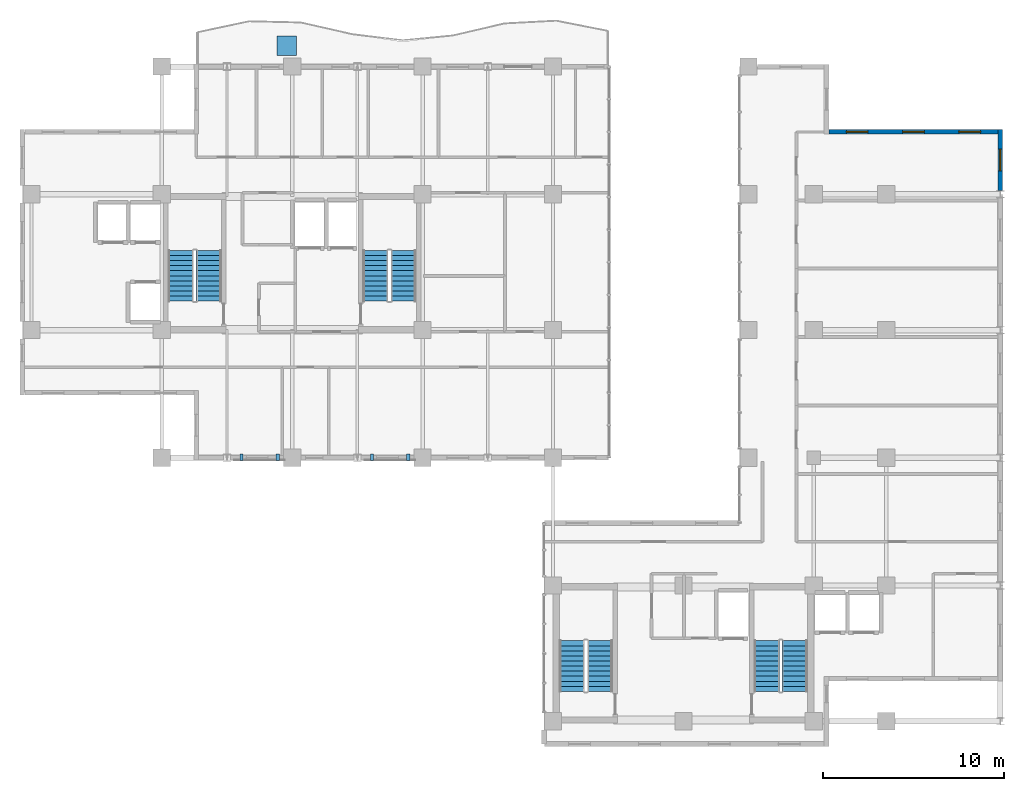
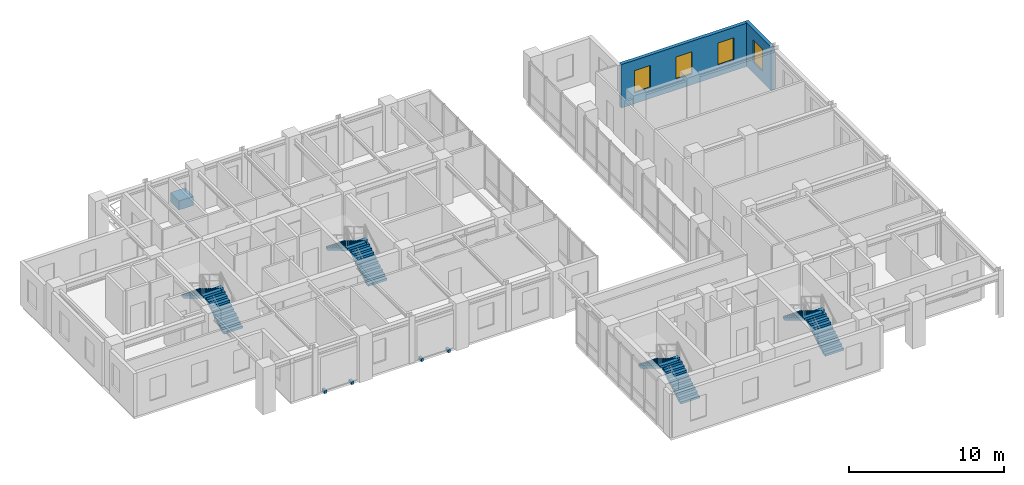
# One storey, part 21 of 24: 8 stair flights, 5 discrete accessories, 4 windows, 2 walls, 4 openings, 4 elements without a shape of their own.
"""IFC4 building model written with IfcOpenShell, lengths in metres."""

from ifc_helpers import new_model, si_unit, direction, frame, frame_2d, origin, origin_2d, place, context, subcontext, project, spatial, polyline, rectangle, outline, extrude, source, transform, mapped, material, layer, layer_set, type_object, element, fill, aggregate, save


model = new_model("IFC4")

# Units and contexts
model_context = context("Model", 3, precision=1e-05, world=origin(), true_north=direction((0.0, 1.0)))
body_context = subcontext(model_context, "Body", "Model", "MODEL_VIEW")
ifc_project = project(units=[si_unit("LENGTHUNIT", "METRE"), si_unit("AREAUNIT", "SQUARE_METRE"), si_unit("VOLUMEUNIT", "CUBIC_METRE"), si_unit("PLANEANGLEUNIT", "RADIAN"), si_unit("MASSUNIT", "GRAM", prefix="KILO")], contexts=[model_context])

# Site, building, storey
site_placement = place(None, origin())
site = spatial("IfcSite", under=ifc_project, at=site_placement, CompositionType="ELEMENT")
building_placement = place(site_placement, origin())
building = spatial("IfcBuilding", under=site, at=building_placement, Name="Kaliganga Portal Commons", CompositionType="ELEMENT")
storey_placement = place(building_placement, frame((0.0, 0.0, 242.5)))
storey = spatial("IfcBuildingStorey", under=building, at=storey_placement, Name="L62", CompositionType="ELEMENT", Elevation=242.5)

# Wall, opening, window
ifc_material_1 = material(Name="Insulated Aluminium-Clad Spandrel Assembly", Category="aluminium")
ifc_layer = layer(ifc_material_1, 0.260009765625)
ifc_layer_set = layer_set([ifc_layer], Name="Insulated Aluminium-Clad Spandrel Assembly")
wall_type = type_object("IfcWallType", Name="WL-EXT-SPAND-260", PredefinedType="STANDARD", material=ifc_layer_set)
wall_1_placement = place(storey_placement, frame((60.699951171875, 39.72998046875, 0.0), z_axis=(0.0, 0.0, 1.0), x_axis=(0.0, -1.0, 0.0)))
wall_1 = element("IfcWall", 1, at=wall_1_placement, inside=storey, type_object=wall_type, Name="Exterior Envelope Wall L62 P2-E03-S5", PredefinedType="STANDARD", context=body_context, shape_type="SweptSolid", body=[
    extrude(rectangle(XDim=3.37890625, YDim=0.260009765625, at=frame_2d((1.689453125, 0.0))), origin(), (0.0, 0.0, 1.0), 3.419921875),
])
opening_1_placement = place(wall_1_placement, frame((1.089599609375, 0.0, 0.85009765625)))
opening_1 = element("IfcOpeningElement", 2, at=opening_1_placement, cuts=wall_1, Name="Opening W-03", PredefinedType="OPENING", context=body_context, shape_type="SweptSolid", body=[
    extrude(rectangle(XDim=1.199951171875, YDim=1.75, at=frame_2d((0.60009765625, 0.875))), frame((0.0, 0.14013671875, 0.0), z_axis=(0.0, -1.0, 0.0), x_axis=(1.0, 0.0, 0.0)), (0.0, 0.0, 1.0), 0.280029296875),
])
ifc_material_2 = material(Name="Thermally Broken Aluminium and Low-E Double Glazing", Category="aluminium")
window_type = type_object("IfcWindowType", Name="WIN-STD-1200", PartitioningType="SINGLE_PANEL", PredefinedType="WINDOW", material=ifc_material_2)
window_1_placement = place(opening_1_placement, origin())
window_1 = element("IfcWindow", 3, at=window_1_placement, inside=storey, type_object=window_type, Name="Facade Window L62-P2E03S5-00", OverallHeight=1.75, OverallWidth=1.199951171875, PartitioningType="SINGLE_PANEL", PredefinedType="WINDOW", context=body_context, shape_type="SweptSolid", body=[
    extrude(rectangle(XDim=1.199951171875, YDim=1.75, at=frame_2d((0.60009765625, 0.875))), frame((0.0, 0.030029296875, 0.0), z_axis=(0.0, -1.0, 0.0), x_axis=(1.0, 0.0, 0.0)), (0.0, 0.0, 1.0), 0.06005859375),
])
fill(opening_1, window_1)

# Wall, openings, windows
wall_2_placement = place(storey_placement, frame((51.235107421875, 39.60009765625, 0.0), z_axis=(0.0, 0.0, 1.0), x_axis=(1.0, 0.0, 0.0)))
wall_2 = element("IfcWall", 4, at=wall_2_placement, inside=storey, type_object=wall_type, Name="Exterior Envelope Wall L62 P2-E04-S1", PredefinedType="STANDARD", context=body_context, shape_type="SweptSolid", body=[
    extrude(rectangle(XDim=9.329833984375, YDim=0.260009765625, at=frame_2d((4.6650390625, 0.0))), origin(), (0.0, 0.0, 1.0), 3.419921875),
])
opening_2_placement = place(wall_2_placement, frame((0.955078125, 0.0, 0.85009765625)))
opening_2 = element("IfcOpeningElement", 5, at=opening_2_placement, cuts=wall_2, Name="Opening W-03", PredefinedType="OPENING", context=body_context, shape_type="SweptSolid", body=[
    extrude(rectangle(XDim=1.199951171875, YDim=1.75, at=frame_2d((0.60009765625, 0.875))), frame((0.0, 0.14013671875, 0.0), z_axis=(0.0, -1.0, 0.0), x_axis=(1.0, 0.0, 0.0)), (0.0, 0.0, 1.0), 0.280029296875),
])
opening_3_placement = place(wall_2_placement, frame((4.06494140625, 0.0, 0.85009765625)))
opening_3 = element("IfcOpeningElement", 6, at=opening_3_placement, cuts=wall_2, Name="Opening W-03", PredefinedType="OPENING", context=body_context, shape_type="SweptSolid", body=[
    extrude(rectangle(XDim=1.199951171875, YDim=1.75, at=frame_2d((0.60009765625, 0.875))), frame((0.0, 0.14013671875, 0.0), z_axis=(0.0, -1.0, 0.0), x_axis=(1.0, 0.0, 0.0)), (0.0, 0.0, 1.0), 0.280029296875),
])
opening_4_placement = place(wall_2_placement, frame((7.175048828125, 0.0, 0.85009765625)))
opening_4 = element("IfcOpeningElement", 7, at=opening_4_placement, cuts=wall_2, Name="Opening W-03", PredefinedType="OPENING", context=body_context, shape_type="SweptSolid", body=[
    extrude(rectangle(XDim=1.199951171875, YDim=1.75, at=frame_2d((0.60009765625, 0.875))), frame((0.0, 0.14013671875, 0.0), z_axis=(0.0, -1.0, 0.0), x_axis=(1.0, 0.0, 0.0)), (0.0, 0.0, 1.0), 0.280029296875),
])
window_2_placement = place(opening_2_placement, origin())
window_2 = element("IfcWindow", 8, at=window_2_placement, inside=storey, type_object=window_type, Name="Facade Window L62-P2E04S1-00", OverallHeight=1.75, OverallWidth=1.199951171875, PartitioningType="SINGLE_PANEL", PredefinedType="WINDOW", context=body_context, shape_type="SweptSolid", body=[
    extrude(rectangle(XDim=1.199951171875, YDim=1.75, at=frame_2d((0.60009765625, 0.875))), frame((0.0, 0.030029296875, 0.0), z_axis=(0.0, -1.0, 0.0), x_axis=(1.0, 0.0, 0.0)), (0.0, 0.0, 1.0), 0.06005859375),
])
fill(opening_2, window_2)
window_3_placement = place(opening_3_placement, origin())
window_3 = element("IfcWindow", 9, at=window_3_placement, inside=storey, type_object=window_type, Name="Facade Window L62-P2E04S1-01", OverallHeight=1.75, OverallWidth=1.199951171875, PartitioningType="SINGLE_PANEL", PredefinedType="WINDOW", context=body_context, shape_type="SweptSolid", body=[
    extrude(rectangle(XDim=1.199951171875, YDim=1.75, at=frame_2d((0.60009765625, 0.875))), frame((0.0, 0.030029296875, 0.0), z_axis=(0.0, -1.0, 0.0), x_axis=(1.0, 0.0, 0.0)), (0.0, 0.0, 1.0), 0.06005859375),
])
fill(opening_3, window_3)
window_4_placement = place(opening_4_placement, origin())
window_4 = element("IfcWindow", 10, at=window_4_placement, inside=storey, type_object=window_type, Name="Facade Window L62-P2E04S1-02", OverallHeight=1.75, OverallWidth=1.199951171875, PartitioningType="SINGLE_PANEL", PredefinedType="WINDOW", context=body_context, shape_type="SweptSolid", body=[
    extrude(rectangle(XDim=1.199951171875, YDim=1.75, at=frame_2d((0.60009765625, 0.875))), frame((0.0, 0.030029296875, 0.0), z_axis=(0.0, -1.0, 0.0), x_axis=(1.0, 0.0, 0.0)), (0.0, 0.0, 1.0), 0.06005859375),
])
fill(opening_4, window_4)

# Stair, stair flights
ifc_material_3 = material(Name="Concrete C40/50", Category="concrete")
stair_type = type_object("IfcStairType", Name="ST-CORE-DOGLEG", PredefinedType="HALF_TURN_STAIR", material=ifc_material_3)
stair_1_placement = place(storey_placement, origin())
stair_1 = element("IfcStair", 11, at=stair_1_placement, inside=storey, type_object=stair_type, Name="L62 Protected Exit Stair ST-A1", PredefinedType="HALF_TURN_STAIR")
stair_flight_type = type_object("IfcStairFlightType", Name="STF-RC-1400", PredefinedType="STRAIGHT", material=ifc_material_3)
stair_flight_1_placement = place(storey_placement, frame((17.0, 30.25, 0.0), z_axis=(0.0, 0.0, 1.0), x_axis=(0.0, 1.0, 0.0)))
stair_flight_1 = element("IfcStairFlight", 12, at=stair_flight_1_placement, type_object=stair_flight_type, Name="ST-A1 flight 1", NumberOfRisers=11, NumberOfTreads=10, PredefinedType="STRAIGHT", RiserHeight=0.168181818, TreadLength=0.28, context=body_context, shape_type="SweptSolid", body=[
    extrude(outline(polyline([(0.0, 0.0), (0.0, 0.168212890625), (0.280029296875, 0.168212890625), (0.280029296875, 0.33642578125), (0.56005859375, 0.33642578125), (0.56005859375, 0.504638671875), (0.840087890625, 0.504638671875), (0.840087890625, 0.672607421875), (1.1201171875, 0.672607421875), (1.1201171875, 0.8408203125), (1.39990234375, 0.8408203125), (1.39990234375, 1.009033203125), (1.679931640625, 1.009033203125), (1.679931640625, 1.17724609375), (1.9599609375, 1.17724609375), (1.9599609375, 1.345458984375), (2.239990234375, 1.345458984375), (2.239990234375, 1.513671875), (2.52001953125, 1.513671875), (2.52001953125, 1.681884765625), (2.800048828125, 1.681884765625), (2.800048828125, 1.85009765625), (2.800048828125, 1.5068359375), (0.291015625, 0.0), (0.0, 0.0)])), frame((0.0, 0.699951171875, 0.0), z_axis=(0.0, -1.0, 0.0), x_axis=(1.0, 0.0, 0.0)), (0.0, 0.0, 1.0), 1.39990234375),
])
stair_flight_2_placement = place(storey_placement, frame((15.449951171875, 33.050048828125, 1.85009765625), z_axis=(0.0, 0.0, 1.0), x_axis=(0.0, -1.0, 0.0)))
stair_flight_2 = element("IfcStairFlight", 13, at=stair_flight_2_placement, type_object=stair_flight_type, Name="ST-A1 flight 2", NumberOfRisers=11, NumberOfTreads=10, PredefinedType="STRAIGHT", RiserHeight=0.168181818, TreadLength=0.28, context=body_context, shape_type="SweptSolid", body=[
    extrude(outline(polyline([(0.0, 0.0), (0.0, 0.168212890625), (0.280029296875, 0.168212890625), (0.280029296875, 0.33642578125), (0.56005859375, 0.33642578125), (0.56005859375, 0.504638671875), (0.840087890625, 0.504638671875), (0.840087890625, 0.672607421875), (1.1201171875, 0.672607421875), (1.1201171875, 0.8408203125), (1.39990234375, 0.8408203125), (1.39990234375, 1.009033203125), (1.679931640625, 1.009033203125), (1.679931640625, 1.17724609375), (1.9599609375, 1.17724609375), (1.9599609375, 1.345458984375), (2.239990234375, 1.345458984375), (2.239990234375, 1.513671875), (2.52001953125, 1.513671875), (2.52001953125, 1.681884765625), (2.800048828125, 1.681884765625), (2.800048828125, 1.85009765625), (2.800048828125, 1.5068359375), (0.291015625, 0.0), (0.0, 0.0)])), frame((0.0, 0.699951171875, 0.0), z_axis=(0.0, -1.0, 0.0), x_axis=(1.0, 0.0, 0.0)), (0.0, 0.0, 1.0), 1.39990234375),
])
aggregate(stair_1, [stair_flight_1, stair_flight_2])

stair_2_placement = place(storey_placement, origin())
stair_2 = element("IfcStair", 14, at=stair_2_placement, inside=storey, type_object=stair_type, Name="L62 Protected Exit Stair ST-A2", PredefinedType="HALF_TURN_STAIR")
stair_flight_3_placement = place(storey_placement, frame((27.75, 30.25, 0.0), z_axis=(0.0, 0.0, 1.0), x_axis=(0.0, 1.0, 0.0)))
stair_flight_3 = element("IfcStairFlight", 15, at=stair_flight_3_placement, type_object=stair_flight_type, Name="ST-A2 flight 1", NumberOfRisers=11, NumberOfTreads=10, PredefinedType="STRAIGHT", RiserHeight=0.168181818, TreadLength=0.28, context=body_context, shape_type="SweptSolid", body=[
    extrude(outline(polyline([(0.0, 0.0), (0.0, 0.168212890625), (0.280029296875, 0.168212890625), (0.280029296875, 0.33642578125), (0.56005859375, 0.33642578125), (0.56005859375, 0.504638671875), (0.840087890625, 0.504638671875), (0.840087890625, 0.672607421875), (1.1201171875, 0.672607421875), (1.1201171875, 0.8408203125), (1.39990234375, 0.8408203125), (1.39990234375, 1.009033203125), (1.679931640625, 1.009033203125), (1.679931640625, 1.17724609375), (1.9599609375, 1.17724609375), (1.9599609375, 1.345458984375), (2.239990234375, 1.345458984375), (2.239990234375, 1.513671875), (2.52001953125, 1.513671875), (2.52001953125, 1.681884765625), (2.800048828125, 1.681884765625), (2.800048828125, 1.85009765625), (2.800048828125, 1.5068359375), (0.291015625, 0.0), (0.0, 0.0)])), frame((0.0, 0.699951171875, 0.0), z_axis=(0.0, -1.0, 0.0), x_axis=(1.0, 0.0, 0.0)), (0.0, 0.0, 1.0), 1.39990234375),
])
stair_flight_4_placement = place(storey_placement, frame((26.199951171875, 33.050048828125, 1.85009765625), z_axis=(0.0, 0.0, 1.0), x_axis=(0.0, -1.0, 0.0)))
stair_flight_4 = element("IfcStairFlight", 16, at=stair_flight_4_placement, type_object=stair_flight_type, Name="ST-A2 flight 2", NumberOfRisers=11, NumberOfTreads=10, PredefinedType="STRAIGHT", RiserHeight=0.168181818, TreadLength=0.28, context=body_context, shape_type="SweptSolid", body=[
    extrude(outline(polyline([(0.0, 0.0), (0.0, 0.168212890625), (0.280029296875, 0.168212890625), (0.280029296875, 0.33642578125), (0.56005859375, 0.33642578125), (0.56005859375, 0.504638671875), (0.840087890625, 0.504638671875), (0.840087890625, 0.672607421875), (1.1201171875, 0.672607421875), (1.1201171875, 0.8408203125), (1.39990234375, 0.8408203125), (1.39990234375, 1.009033203125), (1.679931640625, 1.009033203125), (1.679931640625, 1.17724609375), (1.9599609375, 1.17724609375), (1.9599609375, 1.345458984375), (2.239990234375, 1.345458984375), (2.239990234375, 1.513671875), (2.52001953125, 1.513671875), (2.52001953125, 1.681884765625), (2.800048828125, 1.681884765625), (2.800048828125, 1.85009765625), (2.800048828125, 1.5068359375), (0.291015625, 0.0), (0.0, 0.0)])), frame((0.0, 0.699951171875, 0.0), z_axis=(0.0, -1.0, 0.0), x_axis=(1.0, 0.0, 0.0)), (0.0, 0.0, 1.0), 1.39990234375),
])
aggregate(stair_2, [stair_flight_3, stair_flight_4])

stair_3_placement = place(storey_placement, origin())
stair_3 = element("IfcStair", 17, at=stair_3_placement, inside=storey, type_object=stair_type, Name="L62 Protected Exit Stair ST-B1", PredefinedType="HALF_TURN_STAIR")
stair_flight_5_placement = place(storey_placement, frame((38.60009765625, 8.699951171875, 0.0), z_axis=(0.0, 0.0, 1.0), x_axis=(0.0, 1.0, 0.0)))
stair_flight_5 = element("IfcStairFlight", 18, at=stair_flight_5_placement, type_object=stair_flight_type, Name="ST-B1 flight 1", NumberOfRisers=11, NumberOfTreads=10, PredefinedType="STRAIGHT", RiserHeight=0.168181818, TreadLength=0.28, context=body_context, shape_type="SweptSolid", body=[
    extrude(outline(polyline([(0.0, 0.0), (0.0, 0.168212890625), (0.280029296875, 0.168212890625), (0.280029296875, 0.33642578125), (0.56005859375, 0.33642578125), (0.56005859375, 0.504638671875), (0.840087890625, 0.504638671875), (0.840087890625, 0.672607421875), (1.1201171875, 0.672607421875), (1.1201171875, 0.8408203125), (1.39990234375, 0.8408203125), (1.39990234375, 1.009033203125), (1.679931640625, 1.009033203125), (1.679931640625, 1.17724609375), (1.9599609375, 1.17724609375), (1.9599609375, 1.345458984375), (2.239990234375, 1.345458984375), (2.239990234375, 1.513671875), (2.52001953125, 1.513671875), (2.52001953125, 1.681884765625), (2.800048828125, 1.681884765625), (2.800048828125, 1.85009765625), (2.800048828125, 1.5068359375), (0.291015625, 0.0), (0.0, 0.0)])), frame((0.0, 0.699951171875, 0.0), z_axis=(0.0, -1.0, 0.0), x_axis=(1.0, 0.0, 0.0)), (0.0, 0.0, 1.0), 1.39990234375),
])
stair_flight_6_placement = place(storey_placement, frame((37.050048828125, 11.5, 1.85009765625), z_axis=(0.0, 0.0, 1.0), x_axis=(0.0, -1.0, 0.0)))
stair_flight_6 = element("IfcStairFlight", 19, at=stair_flight_6_placement, type_object=stair_flight_type, Name="ST-B1 flight 2", NumberOfRisers=11, NumberOfTreads=10, PredefinedType="STRAIGHT", RiserHeight=0.168181818, TreadLength=0.28, context=body_context, shape_type="SweptSolid", body=[
    extrude(outline(polyline([(0.0, 0.0), (0.0, 0.168212890625), (0.280029296875, 0.168212890625), (0.280029296875, 0.33642578125), (0.56005859375, 0.33642578125), (0.56005859375, 0.504638671875), (0.840087890625, 0.504638671875), (0.840087890625, 0.672607421875), (1.1201171875, 0.672607421875), (1.1201171875, 0.8408203125), (1.39990234375, 0.8408203125), (1.39990234375, 1.009033203125), (1.679931640625, 1.009033203125), (1.679931640625, 1.17724609375), (1.9599609375, 1.17724609375), (1.9599609375, 1.345458984375), (2.239990234375, 1.345458984375), (2.239990234375, 1.513671875), (2.52001953125, 1.513671875), (2.52001953125, 1.681884765625), (2.800048828125, 1.681884765625), (2.800048828125, 1.85009765625), (2.800048828125, 1.5068359375), (0.291015625, 0.0), (0.0, 0.0)])), frame((0.0, 0.699951171875, 0.0), z_axis=(0.0, -1.0, 0.0), x_axis=(1.0, 0.0, 0.0)), (0.0, 0.0, 1.0), 1.39990234375),
])
aggregate(stair_3, [stair_flight_5, stair_flight_6])

stair_4_placement = place(storey_placement, origin())
stair_4 = element("IfcStair", 20, at=stair_4_placement, inside=storey, type_object=stair_type, Name="L62 Protected Exit Stair ST-B2", PredefinedType="HALF_TURN_STAIR")
stair_flight_7_placement = place(storey_placement, frame((49.35009765625, 8.699951171875, 0.0), z_axis=(0.0, 0.0, 1.0), x_axis=(0.0, 1.0, 0.0)))
stair_flight_7 = element("IfcStairFlight", 21, at=stair_flight_7_placement, type_object=stair_flight_type, Name="ST-B2 flight 1", NumberOfRisers=11, NumberOfTreads=10, PredefinedType="STRAIGHT", RiserHeight=0.168181818, TreadLength=0.28, context=body_context, shape_type="SweptSolid", body=[
    extrude(outline(polyline([(0.0, 0.0), (0.0, 0.168212890625), (0.280029296875, 0.168212890625), (0.280029296875, 0.33642578125), (0.56005859375, 0.33642578125), (0.56005859375, 0.504638671875), (0.840087890625, 0.504638671875), (0.840087890625, 0.672607421875), (1.1201171875, 0.672607421875), (1.1201171875, 0.8408203125), (1.39990234375, 0.8408203125), (1.39990234375, 1.009033203125), (1.679931640625, 1.009033203125), (1.679931640625, 1.17724609375), (1.9599609375, 1.17724609375), (1.9599609375, 1.345458984375), (2.239990234375, 1.345458984375), (2.239990234375, 1.513671875), (2.52001953125, 1.513671875), (2.52001953125, 1.681884765625), (2.800048828125, 1.681884765625), (2.800048828125, 1.85009765625), (2.800048828125, 1.5068359375), (0.291015625, 0.0), (0.0, 0.0)])), frame((0.0, 0.699951171875, 0.0), z_axis=(0.0, -1.0, 0.0), x_axis=(1.0, 0.0, 0.0)), (0.0, 0.0, 1.0), 1.39990234375),
])
stair_flight_8_placement = place(storey_placement, frame((47.800048828125, 11.5, 1.85009765625), z_axis=(0.0, 0.0, 1.0), x_axis=(0.0, -1.0, 0.0)))
stair_flight_8 = element("IfcStairFlight", 22, at=stair_flight_8_placement, type_object=stair_flight_type, Name="ST-B2 flight 2", NumberOfRisers=11, NumberOfTreads=10, PredefinedType="STRAIGHT", RiserHeight=0.168181818, TreadLength=0.28, context=body_context, shape_type="SweptSolid", body=[
    extrude(outline(polyline([(0.0, 0.0), (0.0, 0.168212890625), (0.280029296875, 0.168212890625), (0.280029296875, 0.33642578125), (0.56005859375, 0.33642578125), (0.56005859375, 0.504638671875), (0.840087890625, 0.504638671875), (0.840087890625, 0.672607421875), (1.1201171875, 0.672607421875), (1.1201171875, 0.8408203125), (1.39990234375, 0.8408203125), (1.39990234375, 1.009033203125), (1.679931640625, 1.009033203125), (1.679931640625, 1.17724609375), (1.9599609375, 1.17724609375), (1.9599609375, 1.345458984375), (2.239990234375, 1.345458984375), (2.239990234375, 1.513671875), (2.52001953125, 1.513671875), (2.52001953125, 1.681884765625), (2.800048828125, 1.681884765625), (2.800048828125, 1.85009765625), (2.800048828125, 1.5068359375), (0.291015625, 0.0), (0.0, 0.0)])), frame((0.0, 0.699951171875, 0.0), z_axis=(0.0, -1.0, 0.0), x_axis=(1.0, 0.0, 0.0)), (0.0, 0.0, 1.0), 1.39990234375),
])
aggregate(stair_4, [stair_flight_7, stair_flight_8])

# Discrete accessories
ifc_material_4 = material(Name="Precast concrete C40/50", Category="concrete")
discrete_accessory_type_1 = type_object("IfcDiscreteAccessoryType", Name="DAC-PLANTER-RC", PredefinedType="USERDEFINED", material=ifc_material_4)
shared_shape_1 = source(origin(), body_context, "Body", "SweptSolid", [
    extrude(rectangle(XDim=1.10009765625, YDim=1.10009765625, at=origin_2d()), origin(), (0.0, 0.0, 1.0), 0.719970703125),
])
discrete_accessory_placement = place(storey_placement, frame((21.300048828125, 44.35009765625, 0.0), z_axis=(0.0, 0.0, 1.0), x_axis=(1.0, 0.0, 0.0)))
element("IfcDiscreteAccessory", 23, at=discrete_accessory_placement, inside=storey, type_object=discrete_accessory_type_1, Name="Structural Tree Planter L62 balc_north", ObjectType="PLANTER", PredefinedType="USERDEFINED", context=body_context, shape_type="MappedRepresentation", body=[
    mapped(shared_shape_1, transform((0.0, 0.0, 0.0), x_axis=(1.0, 0.0, 0.0), y_axis=(0.0, 1.0, 0.0), z_axis=(0.0, 0.0, 1.0), scale=1.0)),
])
ifc_material_5 = material(Name="Structural steel S355J2", Category="steel")
discrete_accessory_type_2 = type_object("IfcDiscreteAccessoryType", Name="DAC-BRK-SCR", PredefinedType="BRACKET", material=ifc_material_5)
shared_shape_2 = source(origin(), body_context, "Body", "SweptSolid", [
    extrude(rectangle(XDim=0.179931640625, YDim=0.360107421875, at=origin_2d()), origin(), (0.0, 0.0, 1.0), 0.219970703125),
])
for number, where, z_axis, x_axis, name in (
    (24, (18.800048828125, 21.6201171875, -0.18994140625), (0.0, 0.0, 1.0), (1.0, 0.0, 0.0), "Solar Screen Outrigger Bracket L62-S1-1"),
    (25, (20.800048828125, 21.6201171875, -0.18994140625), (0.0, 0.0, 1.0), (1.0, 0.0, 0.0), "Solar Screen Outrigger Bracket L62-S1-2"),
    (26, (26.0, 21.6201171875, -0.18994140625), (0.0, 0.0, 1.0), (1.0, 0.0, 0.0), "Solar Screen Outrigger Bracket L62-S2-1"),
    (27, (28.0, 21.6201171875, -0.18994140625), (0.0, 0.0, 1.0), (1.0, 0.0, 0.0), "Solar Screen Outrigger Bracket L62-S2-2"),
):
    element("IfcDiscreteAccessory", number, at=place(storey_placement, frame(where, z_axis=z_axis, x_axis=x_axis)), inside=storey, type_object=discrete_accessory_type_2, Name=name, PredefinedType="BRACKET", context=body_context, shape_type="MappedRepresentation", body=[
        mapped(shared_shape_2, transform((0.0, 0.0, 0.0), x_axis=(1.0, 0.0, 0.0), y_axis=(0.0, 1.0, 0.0), z_axis=(0.0, 0.0, 1.0), scale=1.0)),
    ])

save(model, "model.ifc")
